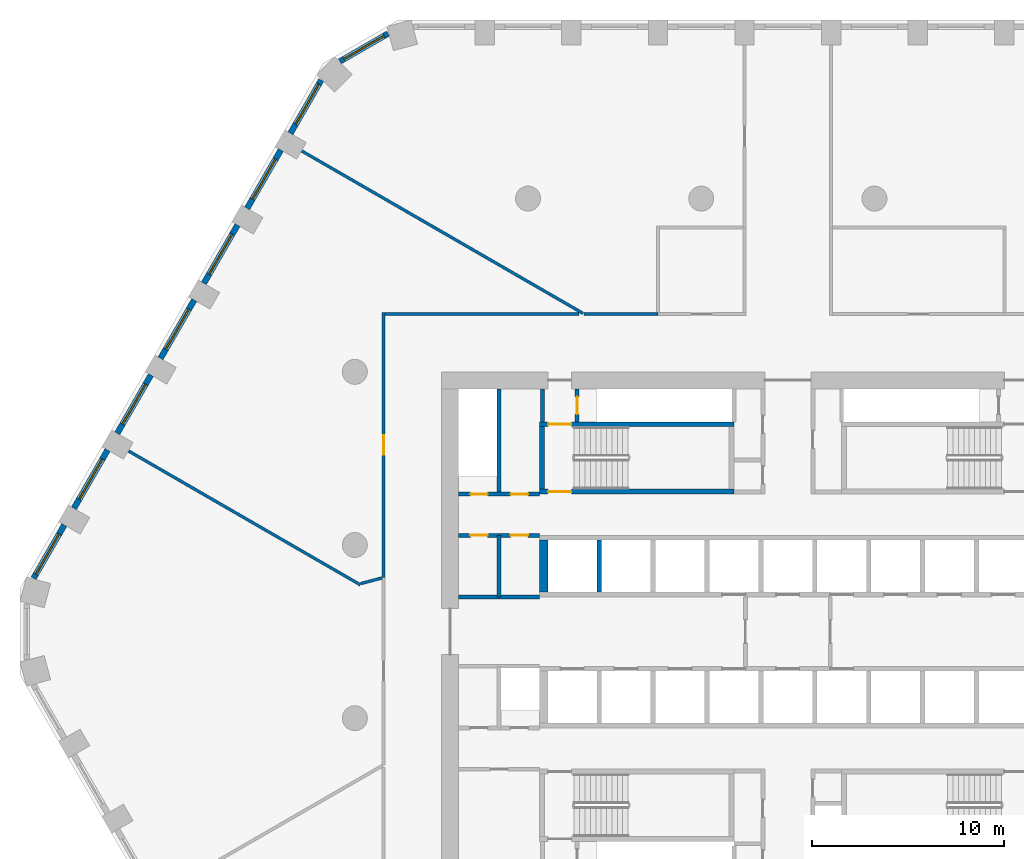
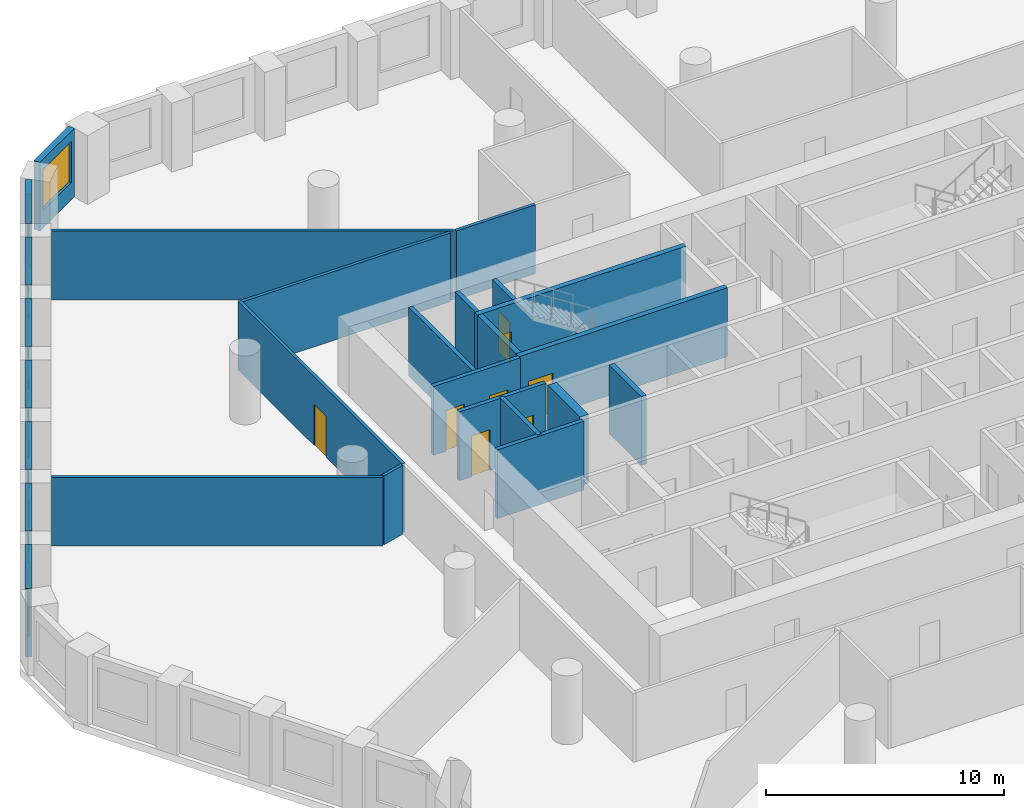
# One storey, part 5 of 10: 26 walls, 8 doors, 8 windows, 16 openings.
"""IFC4 building model written with IfcOpenShell, lengths in metres."""

from ifc_helpers import new_model, si_unit, direction, frame, frame_2d, origin, place, context, subcontext, project, spatial, polyline, rectangle, outline, extrude, material, layer, layer_set, type_object, element, fill, save


model = new_model("IFC4")

# Units and contexts
model_context = context("Model", 3, precision=1e-05, world=origin(), true_north=direction((0.0, 1.0)))
body_context = subcontext(model_context, "Body", "Model", "MODEL_VIEW")
ifc_project = project(units=[si_unit("LENGTHUNIT", "METRE"), si_unit("AREAUNIT", "SQUARE_METRE"), si_unit("VOLUMEUNIT", "CUBIC_METRE"), si_unit("PLANEANGLEUNIT", "RADIAN"), si_unit("MASSUNIT", "GRAM", prefix="KILO")], contexts=[model_context])

# Site, building, storey
site_placement = place(None, origin())
site = spatial("IfcSite", under=ifc_project, at=site_placement, CompositionType="ELEMENT")
building_placement = place(site_placement, origin())
building = spatial("IfcBuilding", under=site, at=building_placement, Name="Dhurran Vertical Campus", CompositionType="ELEMENT")
storey_placement = place(building_placement, frame((0.0, 0.0, 89.10009765625)))
storey = spatial("IfcBuildingStorey", under=building, at=storey_placement, Name="L21", CompositionType="ELEMENT", Elevation=89.10009765625)

# Wall, opening, window
ifc_material_1 = material(Name="Precast concrete C50/60", Category="concrete")
ifc_layer_1 = layer(ifc_material_1, 0.300048828125)
ifc_layer_set_1 = layer_set([ifc_layer_1], Name="Precast concrete C50/60")
wall_type_1 = type_object("IfcWallType", Name="Precast spandrel wall 300", PredefinedType="SOLIDWALL", material=ifc_layer_set_1)
wall_1_placement = place(storey_placement, frame((-20.774169921875, 31.072998046875, 0.0), z_axis=(0.0, 0.0, 1.0), x_axis=(-0.866053149362, -0.49995194017, 0.0)))
wall_1 = element("IfcWall", 1, at=wall_1_placement, inside=storey, type_object=wall_type_1, Name="EW1 L21.35", PredefinedType="SOLIDWALL", context=body_context, shape_type="SweptSolid", body=[
    extrude(rectangle(XDim=2.885498046875, YDim=0.300048828125, at=frame_2d((1.44287109375, 0.0))), origin(), (0.0, 0.0, 1.0), 3.52490234375),
])
opening_1_placement = place(wall_1_placement, frame((0.242919921875, 0.0, 0.89990234375)))
opening_1 = element("IfcOpeningElement", 2, at=opening_1_placement, cuts=wall_1, Name="Opening WT1", PredefinedType="OPENING", context=body_context, shape_type="SweptSolid", body=[
    extrude(rectangle(XDim=2.39990234375, YDim=2.10009765625, at=frame_2d((1.199951171875, 1.050048828125))), frame((0.0, 0.159912109375, 0.0), z_axis=(0.0, -1.0, 0.0), x_axis=(1.0, 0.0, 0.0)), (0.0, 0.0, 1.0), 0.320068359375),
])
ifc_material_2 = material(Name="Aluminium frame with solar-control glass", Category="aluminium")
window_type = type_object("IfcWindowType", Name="Punched window 2400 x 2100", PartitioningType="SINGLE_PANEL", PredefinedType="WINDOW", material=ifc_material_2)
window_1_placement = place(opening_1_placement, origin())
window_1 = element("IfcWindow", 3, at=window_1_placement, inside=storey, type_object=window_type, Name="WT1 L21.35", OverallHeight=2.10009765625, OverallWidth=2.39990234375, PartitioningType="SINGLE_PANEL", PredefinedType="WINDOW", context=body_context, shape_type="SweptSolid", body=[
    extrude(rectangle(XDim=2.39990234375, YDim=2.10009765625, at=frame_2d((1.199951171875, 1.050048828125))), frame((0.0, 0.030029296875, 0.0), z_axis=(0.0, -1.0, 0.0), x_axis=(1.0, 0.0, 0.0)), (0.0, 0.0, 1.0), 0.06005859375),
])
fill(opening_1, window_1)

wall_2_placement = place(storey_placement, frame((-24.24755859375, 28.65576171875, 0.0), z_axis=(0.0, 0.0, 1.0), x_axis=(-0.500004907028, -0.866022570692, 0.0)))
wall_2 = element("IfcWall", 4, at=wall_2_placement, inside=storey, type_object=wall_type_1, Name="EW1 L21.36", PredefinedType="SOLIDWALL", context=body_context, shape_type="SweptSolid", body=[
    extrude(rectangle(XDim=3.1923828125, YDim=0.300048828125, at=frame_2d((1.59619140625, 0.0))), origin(), (0.0, 0.0, 1.0), 3.52490234375),
])
opening_2_placement = place(wall_2_placement, frame((0.242919921875, 0.0, 0.89990234375)))
opening_2 = element("IfcOpeningElement", 5, at=opening_2_placement, cuts=wall_2, Name="Opening WT1", PredefinedType="OPENING", context=body_context, shape_type="SweptSolid", body=[
    extrude(rectangle(XDim=2.39990234375, YDim=2.10009765625, at=frame_2d((1.199951171875, 1.050048828125))), frame((0.0, 0.159912109375, 0.0), z_axis=(0.0, -1.0, 0.0), x_axis=(1.0, 0.0, 0.0)), (0.0, 0.0, 1.0), 0.320068359375),
])
window_2_placement = place(opening_2_placement, origin())
window_2 = element("IfcWindow", 6, at=window_2_placement, inside=storey, type_object=window_type, Name="WT1 L21.36", OverallHeight=2.10009765625, OverallWidth=2.39990234375, PartitioningType="SINGLE_PANEL", PredefinedType="WINDOW", context=body_context, shape_type="SweptSolid", body=[
    extrude(rectangle(XDim=2.39990234375, YDim=2.10009765625, at=frame_2d((1.199951171875, 1.050048828125))), frame((0.0, 0.030029296875, 0.0), z_axis=(0.0, -1.0, 0.0), x_axis=(1.0, 0.0, 0.0)), (0.0, 0.0, 1.0), 0.06005859375),
])
fill(opening_2, window_2)

wall_3_placement = place(storey_placement, frame((-26.34423828125, 25.024169921875, 0.0), z_axis=(0.0, 0.0, 1.0), x_axis=(-0.499996256241, -0.866027565234, 0.0)))
wall_3 = element("IfcWall", 7, at=wall_3_placement, inside=storey, type_object=wall_type_1, Name="EW1 L21.37", PredefinedType="SOLIDWALL", context=body_context, shape_type="SweptSolid", body=[
    extrude(rectangle(XDim=3.4990234375, YDim=0.300048828125, at=frame_2d((1.74951171875, 0.0))), origin(), (0.0, 0.0, 1.0), 3.52490234375),
])
opening_3_placement = place(wall_3_placement, frame((0.549560546875, 0.0, 0.89990234375)))
opening_3 = element("IfcOpeningElement", 8, at=opening_3_placement, cuts=wall_3, Name="Opening WT1", PredefinedType="OPENING", context=body_context, shape_type="SweptSolid", body=[
    extrude(rectangle(XDim=2.39990234375, YDim=2.10009765625, at=frame_2d((1.199951171875, 1.050048828125))), frame((0.0, 0.159912109375, 0.0), z_axis=(0.0, -1.0, 0.0), x_axis=(1.0, 0.0, 0.0)), (0.0, 0.0, 1.0), 0.320068359375),
])
window_3_placement = place(opening_3_placement, origin())
window_3 = element("IfcWindow", 9, at=window_3_placement, inside=storey, type_object=window_type, Name="WT1 L21.37", OverallHeight=2.10009765625, OverallWidth=2.39990234375, PartitioningType="SINGLE_PANEL", PredefinedType="WINDOW", context=body_context, shape_type="SweptSolid", body=[
    extrude(rectangle(XDim=2.39990234375, YDim=2.10009765625, at=frame_2d((1.199951171875, 1.050048828125))), frame((0.0, 0.030029296875, 0.0), z_axis=(0.0, -1.0, 0.0), x_axis=(1.0, 0.0, 0.0)), (0.0, 0.0, 1.0), 0.06005859375),
])
fill(opening_3, window_3)

wall_4_placement = place(storey_placement, frame((-28.59423828125, 21.127197265625, 0.0), z_axis=(0.0, 0.0, 1.0), x_axis=(-0.499996256241, -0.866027565234, 0.0)))
wall_4 = element("IfcWall", 10, at=wall_4_placement, inside=storey, type_object=wall_type_1, Name="EW1 L21.38", PredefinedType="SOLIDWALL", context=body_context, shape_type="SweptSolid", body=[
    extrude(rectangle(XDim=3.4990234375, YDim=0.300048828125, at=frame_2d((1.74951171875, 0.0))), origin(), (0.0, 0.0, 1.0), 3.52490234375),
])
opening_4_placement = place(wall_4_placement, frame((0.549560546875, 0.0, 0.89990234375)))
opening_4 = element("IfcOpeningElement", 11, at=opening_4_placement, cuts=wall_4, Name="Opening WT1", PredefinedType="OPENING", context=body_context, shape_type="SweptSolid", body=[
    extrude(rectangle(XDim=2.39990234375, YDim=2.10009765625, at=frame_2d((1.199951171875, 1.050048828125))), frame((0.0, 0.159912109375, 0.0), z_axis=(0.0, -1.0, 0.0), x_axis=(1.0, 0.0, 0.0)), (0.0, 0.0, 1.0), 0.320068359375),
])
window_4_placement = place(opening_4_placement, origin())
window_4 = element("IfcWindow", 12, at=window_4_placement, inside=storey, type_object=window_type, Name="WT1 L21.38", OverallHeight=2.10009765625, OverallWidth=2.39990234375, PartitioningType="SINGLE_PANEL", PredefinedType="WINDOW", context=body_context, shape_type="SweptSolid", body=[
    extrude(rectangle(XDim=2.39990234375, YDim=2.10009765625, at=frame_2d((1.199951171875, 1.050048828125))), frame((0.0, 0.030029296875, 0.0), z_axis=(0.0, -1.0, 0.0), x_axis=(1.0, 0.0, 0.0)), (0.0, 0.0, 1.0), 0.06005859375),
])
fill(opening_4, window_4)

wall_5_placement = place(storey_placement, frame((-30.84423828125, 17.22998046875, 0.0), z_axis=(0.0, 0.0, 1.0), x_axis=(-0.499996256241, -0.866027565234, 0.0)))
wall_5 = element("IfcWall", 13, at=wall_5_placement, inside=storey, type_object=wall_type_1, Name="EW1 L21.39", PredefinedType="SOLIDWALL", context=body_context, shape_type="SweptSolid", body=[
    extrude(rectangle(XDim=3.4990234375, YDim=0.300048828125, at=frame_2d((1.74951171875, 0.0))), origin(), (0.0, 0.0, 1.0), 3.52490234375),
])
opening_5_placement = place(wall_5_placement, frame((0.549560546875, 0.0, 0.89990234375)))
opening_5 = element("IfcOpeningElement", 14, at=opening_5_placement, cuts=wall_5, Name="Opening WT1", PredefinedType="OPENING", context=body_context, shape_type="SweptSolid", body=[
    extrude(rectangle(XDim=2.39990234375, YDim=2.10009765625, at=frame_2d((1.199951171875, 1.050048828125))), frame((0.0, 0.159912109375, 0.0), z_axis=(0.0, -1.0, 0.0), x_axis=(1.0, 0.0, 0.0)), (0.0, 0.0, 1.0), 0.320068359375),
])
window_5_placement = place(opening_5_placement, origin())
window_5 = element("IfcWindow", 15, at=window_5_placement, inside=storey, type_object=window_type, Name="WT1 L21.39", OverallHeight=2.10009765625, OverallWidth=2.39990234375, PartitioningType="SINGLE_PANEL", PredefinedType="WINDOW", context=body_context, shape_type="SweptSolid", body=[
    extrude(rectangle(XDim=2.39990234375, YDim=2.10009765625, at=frame_2d((1.199951171875, 1.050048828125))), frame((0.0, 0.030029296875, 0.0), z_axis=(0.0, -1.0, 0.0), x_axis=(1.0, 0.0, 0.0)), (0.0, 0.0, 1.0), 0.06005859375),
])
fill(opening_5, window_5)

wall_6_placement = place(storey_placement, frame((-33.09423828125, 13.3330078125, 0.0), z_axis=(0.0, 0.0, 1.0), x_axis=(-0.499996256241, -0.866027565234, 0.0)))
wall_6 = element("IfcWall", 16, at=wall_6_placement, inside=storey, type_object=wall_type_1, Name="EW1 L21.40", PredefinedType="SOLIDWALL", context=body_context, shape_type="SweptSolid", body=[
    extrude(rectangle(XDim=3.4990234375, YDim=0.300048828125, at=frame_2d((1.74951171875, 0.0))), origin(), (0.0, 0.0, 1.0), 3.52490234375),
])
opening_6_placement = place(wall_6_placement, frame((0.549560546875, 0.0, 0.89990234375)))
opening_6 = element("IfcOpeningElement", 17, at=opening_6_placement, cuts=wall_6, Name="Opening WT1", PredefinedType="OPENING", context=body_context, shape_type="SweptSolid", body=[
    extrude(rectangle(XDim=2.39990234375, YDim=2.10009765625, at=frame_2d((1.199951171875, 1.050048828125))), frame((0.0, 0.159912109375, 0.0), z_axis=(0.0, -1.0, 0.0), x_axis=(1.0, 0.0, 0.0)), (0.0, 0.0, 1.0), 0.320068359375),
])
window_6_placement = place(opening_6_placement, origin())
window_6 = element("IfcWindow", 18, at=window_6_placement, inside=storey, type_object=window_type, Name="WT1 L21.40", OverallHeight=2.10009765625, OverallWidth=2.39990234375, PartitioningType="SINGLE_PANEL", PredefinedType="WINDOW", context=body_context, shape_type="SweptSolid", body=[
    extrude(rectangle(XDim=2.39990234375, YDim=2.10009765625, at=frame_2d((1.199951171875, 1.050048828125))), frame((0.0, 0.030029296875, 0.0), z_axis=(0.0, -1.0, 0.0), x_axis=(1.0, 0.0, 0.0)), (0.0, 0.0, 1.0), 0.06005859375),
])
fill(opening_6, window_6)

wall_7_placement = place(storey_placement, frame((-35.34423828125, 9.435791015625, 0.0), z_axis=(0.0, 0.0, 1.0), x_axis=(-0.499996256241, -0.866027565234, 0.0)))
wall_7 = element("IfcWall", 19, at=wall_7_placement, inside=storey, type_object=wall_type_1, Name="EW1 L21.41", PredefinedType="SOLIDWALL", context=body_context, shape_type="SweptSolid", body=[
    extrude(rectangle(XDim=3.4990234375, YDim=0.300048828125, at=frame_2d((1.74951171875, 0.0))), origin(), (0.0, 0.0, 1.0), 3.52490234375),
])
opening_7_placement = place(wall_7_placement, frame((0.549560546875, 0.0, 0.89990234375)))
opening_7 = element("IfcOpeningElement", 20, at=opening_7_placement, cuts=wall_7, Name="Opening WT1", PredefinedType="OPENING", context=body_context, shape_type="SweptSolid", body=[
    extrude(rectangle(XDim=2.39990234375, YDim=2.10009765625, at=frame_2d((1.199951171875, 1.050048828125))), frame((0.0, 0.159912109375, 0.0), z_axis=(0.0, -1.0, 0.0), x_axis=(1.0, 0.0, 0.0)), (0.0, 0.0, 1.0), 0.320068359375),
])
window_7_placement = place(opening_7_placement, origin())
window_7 = element("IfcWindow", 21, at=window_7_placement, inside=storey, type_object=window_type, Name="WT1 L21.41", OverallHeight=2.10009765625, OverallWidth=2.39990234375, PartitioningType="SINGLE_PANEL", PredefinedType="WINDOW", context=body_context, shape_type="SweptSolid", body=[
    extrude(rectangle(XDim=2.39990234375, YDim=2.10009765625, at=frame_2d((1.199951171875, 1.050048828125))), frame((0.0, 0.030029296875, 0.0), z_axis=(0.0, -1.0, 0.0), x_axis=(1.0, 0.0, 0.0)), (0.0, 0.0, 1.0), 0.06005859375),
])
fill(opening_7, window_7)

wall_8_placement = place(storey_placement, frame((-37.59423828125, 5.538818359375, 0.0), z_axis=(0.0, 0.0, 1.0), x_axis=(-0.500004907028, -0.866022570692, 0.0)))
wall_8 = element("IfcWall", 22, at=wall_8_placement, inside=storey, type_object=wall_type_1, Name="EW1 L21.42", PredefinedType="SOLIDWALL", context=body_context, shape_type="SweptSolid", body=[
    extrude(rectangle(XDim=3.1923828125, YDim=0.300048828125, at=frame_2d((1.59619140625, 0.0))), origin(), (0.0, 0.0, 1.0), 3.52490234375),
])
opening_8_placement = place(wall_8_placement, frame((0.549560546875, 0.0, 0.89990234375)))
opening_8 = element("IfcOpeningElement", 23, at=opening_8_placement, cuts=wall_8, Name="Opening WT1", PredefinedType="OPENING", context=body_context, shape_type="SweptSolid", body=[
    extrude(rectangle(XDim=2.39990234375, YDim=2.10009765625, at=frame_2d((1.199951171875, 1.050048828125))), frame((0.0, 0.159912109375, 0.0), z_axis=(0.0, -1.0, 0.0), x_axis=(1.0, 0.0, 0.0)), (0.0, 0.0, 1.0), 0.320068359375),
])
window_8_placement = place(opening_8_placement, origin())
window_8 = element("IfcWindow", 24, at=window_8_placement, inside=storey, type_object=window_type, Name="WT1 L21.42", OverallHeight=2.10009765625, OverallWidth=2.39990234375, PartitioningType="SINGLE_PANEL", PredefinedType="WINDOW", context=body_context, shape_type="SweptSolid", body=[
    extrude(rectangle(XDim=2.39990234375, YDim=2.10009765625, at=frame_2d((1.199951171875, 1.050048828125))), frame((0.0, 0.030029296875, 0.0), z_axis=(0.0, -1.0, 0.0), x_axis=(1.0, 0.0, 0.0)), (0.0, 0.0, 1.0), 0.06005859375),
])
fill(opening_8, window_8)

# Wall
ifc_material_3 = material(Name="Fire-rated masonry blockwork", Category="masonry")
ifc_layer_2 = layer(ifc_material_3, 0.199951171875)
ifc_layer_set_2 = layer_set([ifc_layer_2], Name="Fire-rated masonry blockwork")
wall_type_2 = type_object("IfcWallType", Name="co-FIRE-PARTITION-200", PredefinedType="PARTITIONING", material=ifc_layer_set_2)
wall_9_placement = place(storey_placement, frame((-12.75, 10.89990234375, 0.0), z_axis=(0.0, 0.0, 1.0), x_axis=(0.0, 1.0, 0.0)))
element("IfcWall", 25, at=wall_9_placement, inside=storey, type_object=wall_type_2, Name="Core partition pass-ST1-o L21", PredefinedType="PARTITIONING", context=body_context, shape_type="SweptSolid", body=[
    extrude(rectangle(XDim=1.7001953125, YDim=0.199951171875, at=frame_2d((0.85009765625, 0.0))), origin(), (0.0, 0.0, 1.0), 3.52490234375),
])

# Wall, opening, door
wall_10_placement = place(storey_placement, frame((-10.949951171875, 10.89990234375, 0.0), z_axis=(0.0, 0.0, 1.0), x_axis=(0.0, 1.0, 0.0)))
wall_10 = element("IfcWall", 26, at=wall_10_placement, inside=storey, type_object=wall_type_2, Name="Core partition pass-ST1-i L21", PredefinedType="PARTITIONING", context=body_context, shape_type="SweptSolid", body=[
    extrude(rectangle(XDim=1.7001953125, YDim=0.199951171875, at=frame_2d((0.85009765625, 0.0))), origin(), (0.0, 0.0, 1.0), 3.52490234375),
])
opening_9_placement = place(wall_10_placement, frame((0.39990234375, 0.0, 0.0)))
opening_9 = element("IfcOpeningElement", 27, at=opening_9_placement, cuts=wall_10, Name="Opening T05-C8", PredefinedType="OPENING", context=body_context, shape_type="SweptSolid", body=[
    extrude(rectangle(XDim=0.89990234375, YDim=2.10009765625, at=frame_2d((0.449951171875, 1.050048828125))), frame((0.0, 0.10986328125, 0.0), z_axis=(0.0, -1.0, 0.0), x_axis=(1.0, 0.0, 0.0)), (0.0, 0.0, 1.0), 0.219970703125),
])
ifc_material_4 = material(Name="Fire-rated timber door set", Category="wood")
door_type_1 = type_object("IfcDoorType", Name="co-D-ROOM 900x2100", OperationType="SINGLE_SWING_LEFT", PredefinedType="DOOR", material=ifc_material_4)
door_1_placement = place(opening_9_placement, origin())
door_1 = element("IfcDoor", 28, at=door_1_placement, inside=storey, type_object=door_type_1, Name="Riser room door L21", OperationType="SINGLE_SWING_LEFT", OverallHeight=2.10009765625, OverallWidth=0.89990234375, PredefinedType="DOOR", context=body_context, shape_type="SweptSolid", body=[
    extrude(rectangle(XDim=0.89990234375, YDim=2.10009765625, at=frame_2d((0.449951171875, 1.050048828125))), frame((0.0, 0.02490234375, 0.0), z_axis=(0.0, -1.0, 0.0), x_axis=(1.0, 0.0, 0.0)), (0.0, 0.0, 1.0), 0.050048828125),
])
fill(opening_9, door_1)

# Wall
wall_11_placement = place(storey_placement, frame((-15.0, 7.14990234375, 0.0), z_axis=(0.0, 0.0, 1.0), x_axis=(0.0, 1.0, 0.0)))
element("IfcWall", 29, at=wall_11_placement, inside=storey, type_object=wall_type_2, Name="Core partition en-NW-cut0 L21", PredefinedType="PARTITIONING", context=body_context, shape_type="SweptSolid", body=[
    extrude(rectangle(XDim=5.4501953125, YDim=0.199951171875, at=frame_2d((2.72509765625, 0.0))), origin(), (0.0, 0.0, 1.0), 3.52490234375),
])

# Wall, openings, doors
wall_12_placement = place(storey_placement, frame((-17.10009765625, 7.14990234375, 0.0), z_axis=(0.0, 0.0, 1.0), x_axis=(1.0, 0.0, 0.0)))
wall_12 = element("IfcWall", 30, at=wall_12_placement, inside=storey, type_object=wall_type_2, Name="Core partition en-NW-w L21", PredefinedType="PARTITIONING", context=body_context, shape_type="SweptSolid", body=[
    extrude(rectangle(XDim=4.2001953125, YDim=0.199951171875, at=frame_2d((2.10009765625, 0.0))), origin(), (0.0, 0.0, 1.0), 3.52490234375),
])
opening_10_placement = place(wall_12_placement, frame((0.60009765625, 0.0, 0.0)))
opening_10 = element("IfcOpeningElement", 31, at=opening_10_placement, cuts=wall_12, Name="Opening T05-C12", PredefinedType="OPENING", context=body_context, shape_type="SweptSolid", body=[
    extrude(rectangle(XDim=0.89990234375, YDim=2.10009765625, at=frame_2d((0.449951171875, 1.050048828125))), frame((0.0, 0.10986328125, 0.0), z_axis=(0.0, -1.0, 0.0), x_axis=(1.0, 0.0, 0.0)), (0.0, 0.0, 1.0), 0.219970703125),
])
opening_11_placement = place(wall_12_placement, frame((2.699951171875, 0.0, 0.0)))
opening_11 = element("IfcOpeningElement", 32, at=opening_11_placement, cuts=wall_12, Name="Opening T05-C13", PredefinedType="OPENING", context=body_context, shape_type="SweptSolid", body=[
    extrude(rectangle(XDim=0.89990234375, YDim=2.10009765625, at=frame_2d((0.449951171875, 1.050048828125))), frame((0.0, 0.10986328125, 0.0), z_axis=(0.0, -1.0, 0.0), x_axis=(1.0, 0.0, 0.0)), (0.0, 0.0, 1.0), 0.219970703125),
])
door_2_placement = place(opening_10_placement, origin())
door_2 = element("IfcDoor", 33, at=door_2_placement, inside=storey, type_object=door_type_1, Name="Electrical riser door L21", OperationType="SINGLE_SWING_LEFT", OverallHeight=2.10009765625, OverallWidth=0.89990234375, PredefinedType="DOOR", context=body_context, shape_type="SweptSolid", body=[
    extrude(rectangle(XDim=0.89990234375, YDim=2.10009765625, at=frame_2d((0.449951171875, 1.050048828125))), frame((0.0, 0.02490234375, 0.0), z_axis=(0.0, -1.0, 0.0), x_axis=(1.0, 0.0, 0.0)), (0.0, 0.0, 1.0), 0.050048828125),
])
fill(opening_10, door_2)
door_3_placement = place(opening_11_placement, origin())
door_3 = element("IfcDoor", 34, at=door_3_placement, inside=storey, type_object=door_type_1, Name="Store door L21", OperationType="SINGLE_SWING_LEFT", OverallHeight=2.10009765625, OverallWidth=0.89990234375, PredefinedType="DOOR", context=body_context, shape_type="SweptSolid", body=[
    extrude(rectangle(XDim=0.89990234375, YDim=2.10009765625, at=frame_2d((0.449951171875, 1.050048828125))), frame((0.0, 0.02490234375, 0.0), z_axis=(0.0, -1.0, 0.0), x_axis=(1.0, 0.0, 0.0)), (0.0, 0.0, 1.0), 0.050048828125),
])
fill(opening_11, door_3)

# Wall
wall_13_placement = place(storey_placement, frame((-15.0, 1.800048828125, 0.0), z_axis=(0.0, 0.0, 1.0), x_axis=(0.0, 1.0, 0.0)))
element("IfcWall", 35, at=wall_13_placement, inside=storey, type_object=wall_type_2, Name="Core partition es-NW-cut0 L21", PredefinedType="PARTITIONING", context=body_context, shape_type="SweptSolid", body=[
    extrude(rectangle(XDim=3.199951171875, YDim=0.199951171875, at=frame_2d((1.60009765625, 0.0))), origin(), (0.0, 0.0, 1.0), 3.52490234375),
])

# Wall, openings, doors
wall_14_placement = place(storey_placement, frame((-17.10009765625, 5.0, 0.0), z_axis=(0.0, 0.0, 1.0), x_axis=(1.0, 0.0, 0.0)))
wall_14 = element("IfcWall", 36, at=wall_14_placement, inside=storey, type_object=wall_type_2, Name="Core partition es-NW-w L21", PredefinedType="PARTITIONING", context=body_context, shape_type="SweptSolid", body=[
    extrude(rectangle(XDim=4.2001953125, YDim=0.199951171875, at=frame_2d((2.10009765625, 0.0))), origin(), (0.0, 0.0, 1.0), 3.52490234375),
])
opening_12_placement = place(wall_14_placement, frame((0.60009765625, 0.0, 0.0)))
opening_12 = element("IfcOpeningElement", 37, at=opening_12_placement, cuts=wall_14, Name="Opening T05-C14", PredefinedType="OPENING", context=body_context, shape_type="SweptSolid", body=[
    extrude(rectangle(XDim=0.89990234375, YDim=2.10009765625, at=frame_2d((0.449951171875, 1.050048828125))), frame((0.0, 0.10986328125, 0.0), z_axis=(0.0, -1.0, 0.0), x_axis=(1.0, 0.0, 0.0)), (0.0, 0.0, 1.0), 0.219970703125),
])
opening_13_placement = place(wall_14_placement, frame((2.699951171875, 0.0, 0.0)))
opening_13 = element("IfcOpeningElement", 38, at=opening_13_placement, cuts=wall_14, Name="Opening T05-C15", PredefinedType="OPENING", context=body_context, shape_type="SweptSolid", body=[
    extrude(rectangle(XDim=0.89990234375, YDim=2.10009765625, at=frame_2d((0.449951171875, 1.050048828125))), frame((0.0, 0.10986328125, 0.0), z_axis=(0.0, -1.0, 0.0), x_axis=(1.0, 0.0, 0.0)), (0.0, 0.0, 1.0), 0.219970703125),
])
door_4_placement = place(opening_12_placement, origin())
door_4 = element("IfcDoor", 39, at=door_4_placement, inside=storey, type_object=door_type_1, Name="Plant room door L21", OperationType="SINGLE_SWING_LEFT", OverallHeight=2.10009765625, OverallWidth=0.89990234375, PredefinedType="DOOR", context=body_context, shape_type="SweptSolid", body=[
    extrude(rectangle(XDim=0.89990234375, YDim=2.10009765625, at=frame_2d((0.449951171875, 1.050048828125))), frame((0.0, 0.02490234375, 0.0), z_axis=(0.0, -1.0, 0.0), x_axis=(1.0, 0.0, 0.0)), (0.0, 0.0, 1.0), 0.050048828125),
])
fill(opening_12, door_4)
door_5_placement = place(opening_13_placement, origin())
door_5 = element("IfcDoor", 40, at=door_5_placement, inside=storey, type_object=door_type_1, Name="Pantry door L21", OperationType="SINGLE_SWING_LEFT", OverallHeight=2.10009765625, OverallWidth=0.89990234375, PredefinedType="DOOR", context=body_context, shape_type="SweptSolid", body=[
    extrude(rectangle(XDim=0.89990234375, YDim=2.10009765625, at=frame_2d((0.449951171875, 1.050048828125))), frame((0.0, 0.02490234375, 0.0), z_axis=(0.0, -1.0, 0.0), x_axis=(1.0, 0.0, 0.0)), (0.0, 0.0, 1.0), 0.050048828125),
])
fill(opening_13, door_5)

# Walls
wall_15_placement = place(storey_placement, frame((-17.10009765625, 1.800048828125, 0.0), z_axis=(0.0, 0.0, 1.0), x_axis=(1.0, 0.0, 0.0)))
element("IfcWall", 41, at=wall_15_placement, inside=storey, type_object=wall_type_2, Name="Core partition es-NW-l L21", PredefinedType="PARTITIONING", context=body_context, shape_type="SweptSolid", body=[
    extrude(rectangle(XDim=4.2001953125, YDim=0.199951171875, at=frame_2d((2.10009765625, 0.0))), origin(), (0.0, 0.0, 1.0), 3.52490234375),
])
ifc_material_5 = material(Name="Concrete C50/60", Category="concrete")
ifc_layer_3 = layer(ifc_material_5, 0.25)
ifc_layer_set_3 = layer_set([ifc_layer_3], Name="Concrete C50/60")
wall_type_3 = type_object("IfcWallType", Name="co-SHAFT-MASS-250", PredefinedType="SHEAR", material=ifc_layer_set_3)
wall_16_placement = place(storey_placement, origin())
element("IfcWall", 42, at=wall_16_placement, inside=storey, type_object=wall_type_3, Name="Lift shaft wall N L21 2", PredefinedType="SHEAR", context=body_context, shape_type="SweptSolid", body=[
    extrude(outline(polyline([(-12.89990234375, 2.050048828125), (-12.47509765625, 2.050048828125), (-12.47509765625, 4.75), (-12.89990234375, 4.75), (-12.89990234375, 2.050048828125)])), origin(), (0.0, 0.0, 1.0), 3.52490234375),
])
wall_17_placement = place(storey_placement, origin())
element("IfcWall", 43, at=wall_17_placement, inside=storey, type_object=wall_type_3, Name="Lift shaft wall N L21 3", PredefinedType="SHEAR", context=body_context, shape_type="SweptSolid", body=[
    extrude(outline(polyline([(-9.925048828125, 2.050048828125), (-9.675048828125, 2.050048828125), (-9.675048828125, 4.75), (-9.925048828125, 4.75), (-9.925048828125, 2.050048828125)])), origin(), (0.0, 0.0, 1.0), 3.52490234375),
])

# Wall, opening, door
ifc_material_6 = material(Name="Concrete C40/50", Category="concrete")
ifc_layer_4 = layer(ifc_material_6, 0.25)
ifc_layer_set_4 = layer_set([ifc_layer_4], Name="Concrete C40/50")
wall_type_4 = type_object("IfcWallType", Name="co-STAIR-WALL-250", PredefinedType="SHEAR", material=ifc_layer_set_4)
wall_18_placement = place(storey_placement, frame((-12.89990234375, 7.27490234375, 0.0), z_axis=(0.0, 0.0, 1.0), x_axis=(1.0, 0.0, 0.0)))
wall_18 = element("IfcWall", 44, at=wall_18_placement, inside=storey, type_object=wall_type_4, Name="Stair ST1 enclosure wall L21", PredefinedType="SHEAR", context=body_context, shape_type="SweptSolid", body=[
    extrude(rectangle(XDim=10.099853515625, YDim=0.25, at=frame_2d((5.0498046875, 0.0))), origin(), (0.0, 0.0, 1.0), 3.52490234375),
])
opening_14_placement = place(wall_18_placement, frame((0.449951171875, 0.0, 0.0)))
opening_14 = element("IfcOpeningElement", 45, at=opening_14_placement, cuts=wall_18, Name="Opening SD1", PredefinedType="OPENING", context=body_context, shape_type="SweptSolid", body=[
    extrude(rectangle(XDim=1.199951171875, YDim=2.10009765625, at=frame_2d((0.60009765625, 1.050048828125))), frame((0.0, 0.135009765625, 0.0), z_axis=(0.0, -1.0, 0.0), x_axis=(1.0, 0.0, 0.0)), (0.0, 0.0, 1.0), 0.27001953125),
])
ifc_material_7 = material(Name="Fire-rated steel door set", Category="steel")
door_type_2 = type_object("IfcDoorType", Name="co-D-STAIR 1200x2100", OperationType="SINGLE_SWING_LEFT", PredefinedType="DOOR", material=ifc_material_7)
door_6_placement = place(opening_14_placement, origin())
door_6 = element("IfcDoor", 46, at=door_6_placement, inside=storey, type_object=door_type_2, Name="Stair ST1 door L21", OperationType="SINGLE_SWING_LEFT", OverallHeight=2.10009765625, OverallWidth=1.199951171875, PredefinedType="DOOR", context=body_context, shape_type="SweptSolid", body=[
    extrude(rectangle(XDim=1.199951171875, YDim=2.10009765625, at=frame_2d((0.60009765625, 1.050048828125))), frame((0.0, 0.02490234375, 0.0), z_axis=(0.0, -1.0, 0.0), x_axis=(1.0, 0.0, 0.0)), (0.0, 0.0, 1.0), 0.050048828125),
])
fill(opening_14, door_6)

wall_19_placement = place(storey_placement, frame((-12.89990234375, 10.77490234375, 0.0), z_axis=(0.0, 0.0, 1.0), x_axis=(1.0, 0.0, 0.0)))
wall_19 = element("IfcWall", 47, at=wall_19_placement, inside=storey, type_object=wall_type_4, Name="Stair ST1 enclosure wall L21", PredefinedType="SHEAR", context=body_context, shape_type="SweptSolid", body=[
    extrude(rectangle(XDim=10.099853515625, YDim=0.25, at=frame_2d((5.0498046875, 0.0))), origin(), (0.0, 0.0, 1.0), 3.52490234375),
])
opening_15_placement = place(wall_19_placement, frame((0.449951171875, 0.0, 0.0)))
opening_15 = element("IfcOpeningElement", 48, at=opening_15_placement, cuts=wall_19, Name="Opening XS1", PredefinedType="OPENING", context=body_context, shape_type="SweptSolid", body=[
    extrude(rectangle(XDim=1.199951171875, YDim=2.10009765625, at=frame_2d((0.60009765625, 1.050048828125))), frame((0.0, 0.135009765625, 0.0), z_axis=(0.0, -1.0, 0.0), x_axis=(1.0, 0.0, 0.0)), (0.0, 0.0, 1.0), 0.27001953125),
])
ifc_material_8 = material(Name="Fire-rated steel door set", Category="steel")
door_type_3 = type_object("IfcDoorType", Name="co-D-STAIR-EXIT 1200x2100", OperationType="SINGLE_SWING_RIGHT", PredefinedType="DOOR", material=ifc_material_8)
door_7_placement = place(opening_15_placement, origin())
door_7 = element("IfcDoor", 49, at=door_7_placement, inside=storey, type_object=door_type_3, Name="Stair ST1 discharge door L21", OperationType="SINGLE_SWING_RIGHT", OverallHeight=2.10009765625, OverallWidth=1.199951171875, PredefinedType="DOOR", context=body_context, shape_type="SweptSolid", body=[
    extrude(rectangle(XDim=1.199951171875, YDim=2.10009765625, at=frame_2d((0.60009765625, 1.050048828125))), frame((0.0, 0.02490234375, 0.0), z_axis=(0.0, -1.0, 0.0), x_axis=(1.0, 0.0, 0.0)), (0.0, 0.0, 1.0), 0.050048828125),
])
fill(opening_15, door_7)

# Wall
wall_20_placement = place(storey_placement, frame((-12.77490234375, 7.39990234375, 0.0), z_axis=(0.0, 0.0, 1.0), x_axis=(0.0, 1.0, 0.0)))
element("IfcWall", 50, at=wall_20_placement, inside=storey, type_object=wall_type_4, Name="Stair ST1 enclosure wall L21", PredefinedType="SHEAR", context=body_context, shape_type="SweptSolid", body=[
    extrude(rectangle(XDim=3.25, YDim=0.25, at=frame_2d((1.625, 0.0))), origin(), (0.0, 0.0, 1.0), 3.52490234375),
])

# Wall, opening, door
ifc_material_9 = material(Name="Gypsum board corridor wall on steel studs", Category="steel")
ifc_layer_5 = layer(ifc_material_9, 0.14990234375)
ifc_layer_set_5 = layer_set([ifc_layer_5], Name="Gypsum board corridor wall on steel studs")
wall_type_5 = type_object("IfcWallType", Name="fl-CW-150 corridor wall", PredefinedType="PARTITIONING", material=ifc_layer_set_5)
wall_21_placement = place(storey_placement, frame((-21.0, 16.574951171875, 0.0), z_axis=(0.0, 0.0, 1.0), x_axis=(0.0, -1.0, 0.0)))
wall_21 = element("IfcWall", 51, at=wall_21_placement, inside=storey, type_object=wall_type_5, Name="Partition 21-09", PredefinedType="PARTITIONING", context=body_context, shape_type="SweptSolid", body=[
    extrude(rectangle(XDim=13.761962890625, YDim=0.14990234375, at=frame_2d((6.880859375, 0.0))), origin(), (0.0, 0.0, 1.0), 3.52490234375),
])
opening_16_placement = place(wall_21_placement, frame((6.381103515625, 0.0, 0.0)))
opening_16 = element("IfcOpeningElement", 52, at=opening_16_placement, cuts=wall_21, Name="Opening T05.02", PredefinedType="OPENING", context=body_context, shape_type="SweptSolid", body=[
    extrude(rectangle(XDim=1.0, YDim=2.10009765625, at=frame_2d((0.5, 1.050048828125))), frame((0.0, 0.0849609375, 0.0), z_axis=(0.0, -1.0, 0.0), x_axis=(1.0, 0.0, 0.0)), (0.0, 0.0, 1.0), 0.169921875),
])
ifc_material_10 = material(Name="Solid-core timber door set, fire-rated", Category="wood")
door_type_4 = type_object("IfcDoorType", Name="fl-D-1000x2100", OperationType="SINGLE_SWING_LEFT", PredefinedType="DOOR", material=ifc_material_10)
door_8_placement = place(opening_16_placement, origin())
door_8 = element("IfcDoor", 53, at=door_8_placement, inside=storey, type_object=door_type_4, Name="Door 21.02", OperationType="SINGLE_SWING_RIGHT", OverallHeight=2.10009765625, OverallWidth=1.0, PredefinedType="DOOR", context=body_context, shape_type="SweptSolid", body=[
    extrude(rectangle(XDim=1.0, YDim=2.10009765625, at=frame_2d((0.5, 1.050048828125))), frame((0.0, 0.02490234375, 0.0), z_axis=(0.0, -1.0, 0.0), x_axis=(1.0, 0.0, 0.0)), (0.0, 0.0, 1.0), 0.050048828125),
])
fill(opening_16, door_8)

# Walls
wall_22_placement = place(storey_placement, frame((-10.85400390625, 16.5, 0.0), z_axis=(0.0, 0.0, 1.0), x_axis=(-1.0, 0.0, 0.0)))
element("IfcWall", 54, at=wall_22_placement, inside=storey, type_object=wall_type_5, Name="Partition 21-10", PredefinedType="PARTITIONING", context=body_context, shape_type="SweptSolid", body=[
    extrude(rectangle(XDim=10.071044921875, YDim=0.14990234375, at=frame_2d((5.03564453125, 0.0))), origin(), (0.0, 0.0, 1.0), 3.52490234375),
])
wall_23_placement = place(storey_placement, frame((-6.75, 16.5, 0.0), z_axis=(0.0, 0.0, 1.0), x_axis=(-1.0, 0.0, 0.0)))
element("IfcWall", 55, at=wall_23_placement, inside=storey, type_object=wall_type_5, Name="Partition 21-15", PredefinedType="PARTITIONING", context=body_context, shape_type="SweptSolid", body=[
    extrude(rectangle(XDim=3.8291015625, YDim=0.14990234375, at=frame_2d((1.91455078125, 0.0))), origin(), (0.0, 0.0, 1.0), 3.52490234375),
])
ifc_material_11 = material(Name="Gypsum board partition on steel studs", Category="steel")
ifc_layer_6 = layer(ifc_material_11, 0.14990234375)
ifc_layer_set_6 = layer_set([ifc_layer_6], Name="Gypsum board partition on steel studs")
wall_type_6 = type_object("IfcWallType", Name="fl-PW-150 fixed partition", PredefinedType="PARTITIONING", material=ifc_layer_set_6)
wall_24_placement = place(storey_placement, frame((-34.25390625, 9.38427734375, 0.0), z_axis=(0.0, 0.0, 1.0), x_axis=(0.866040828911, -0.499973281945, 0.0)))
element("IfcWall", 56, at=wall_24_placement, inside=storey, type_object=wall_type_6, Name="Partition 21-01", PredefinedType="PARTITIONING", context=body_context, shape_type="SweptSolid", body=[
    extrude(rectangle(XDim=13.902099609375, YDim=0.14990234375, at=frame_2d((6.951171875, 0.0))), origin(), (0.0, 0.0, 1.0), 3.52490234375),
])
wall_25_placement = place(storey_placement, frame((-25.25390625, 24.972900390625, 0.0), z_axis=(0.0, 0.0, 1.0), x_axis=(0.866017851419, -0.500013080853, 0.0)))
element("IfcWall", 57, at=wall_25_placement, inside=storey, type_object=wall_type_6, Name="Partition 21-04", PredefinedType="PARTITIONING", context=body_context, shape_type="SweptSolid", body=[
    extrude(rectangle(XDim=16.8701171875, YDim=0.14990234375, at=frame_2d((8.43505859375, 0.0))), origin(), (0.0, 0.0, 1.0), 3.52490234375),
])
wall_26_placement = place(storey_placement, frame((-22.177490234375, 2.498046875, 0.0), z_axis=(0.0, 0.0, 1.0), x_axis=(0.966065265568, 0.25829808877, 0.0)))
element("IfcWall", 58, at=wall_26_placement, inside=storey, type_object=wall_type_6, Name="Partition 21-05", PredefinedType="PARTITIONING", context=body_context, shape_type="SweptSolid", body=[
    extrude(rectangle(XDim=1.123779296875, YDim=0.14990234375, at=frame_2d((0.56201171875, 0.0))), origin(), (0.0, 0.0, 1.0), 3.52490234375),
])

save(model, "model.ifc")
